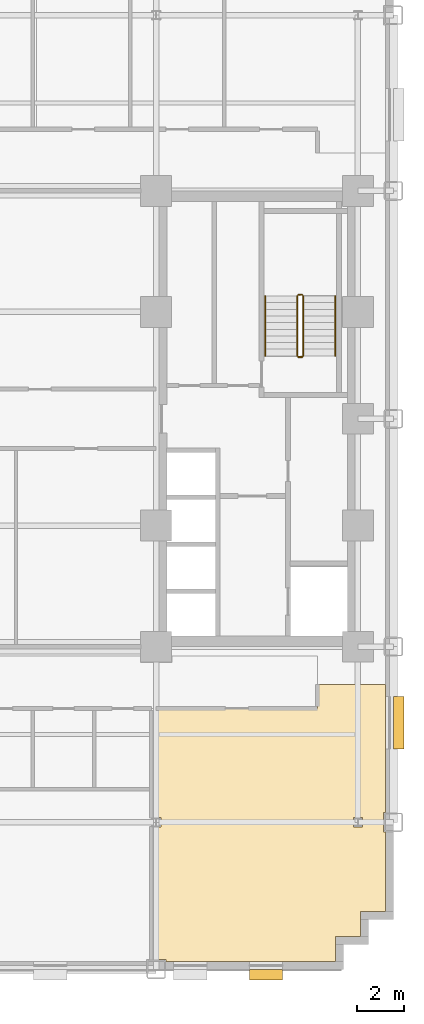
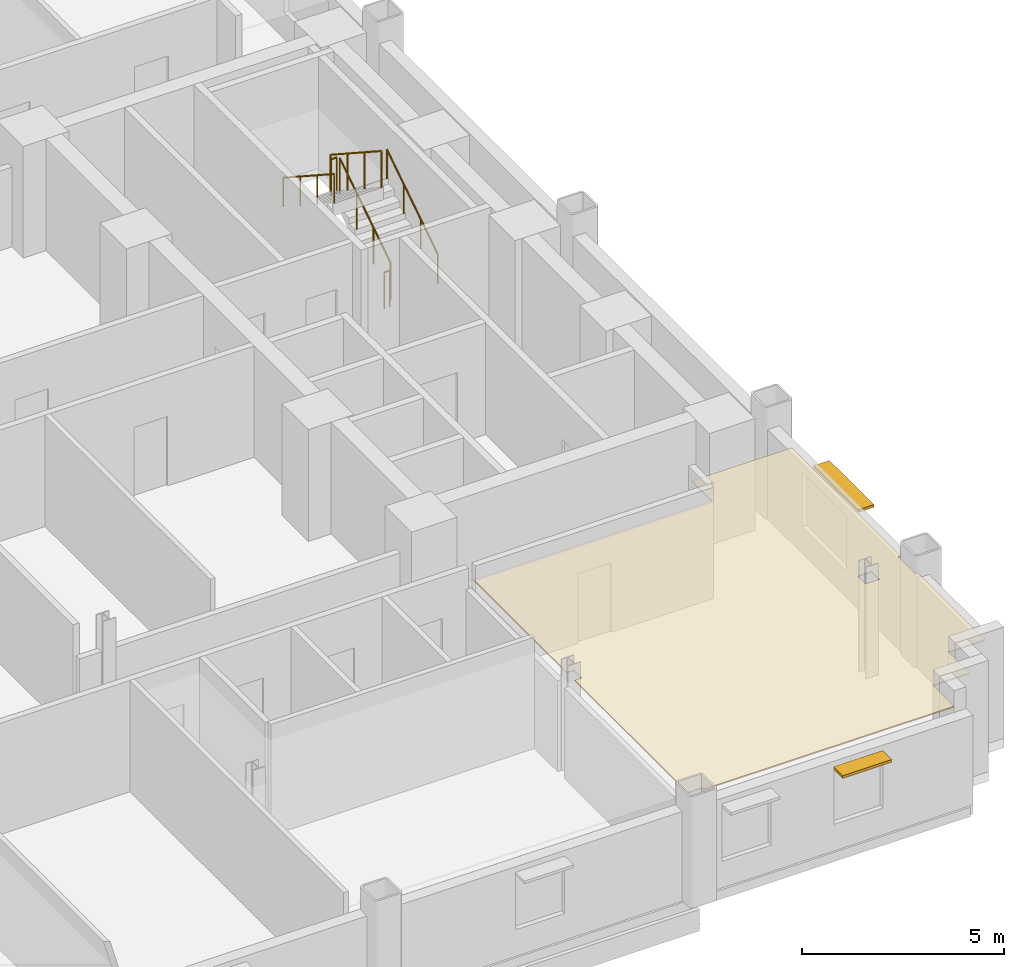
# One storey, part 11 of 12: 6 railings, 2 shading devices, 1 covering.
"""IFC4 building model written with IfcOpenShell, lengths in metres."""

from ifc_helpers import new_model, si_unit, direction, frame, origin, origin_2d, place, context, subcontext, project, spatial, polyline, rectangle, circle, outline, extrude, source, transform, mapped, material, layer, layer_set, type_object, type_shapes, element, save


model = new_model("IFC4")

# Units and contexts
model_context = context("Model", 3, precision=1e-05, world=origin(), true_north=direction((0.0, 1.0)))
body_context = subcontext(model_context, "Body", "Model", "MODEL_VIEW")
ifc_project = project(units=[si_unit("LENGTHUNIT", "METRE"), si_unit("AREAUNIT", "SQUARE_METRE"), si_unit("VOLUMEUNIT", "CUBIC_METRE"), si_unit("PLANEANGLEUNIT", "RADIAN"), si_unit("MASSUNIT", "GRAM", prefix="KILO")], contexts=[model_context])

# Site, building, storey
site_placement = place(None, origin())
site = spatial("IfcSite", under=ifc_project, at=site_placement, CompositionType="ELEMENT")
building_placement = place(site_placement, origin())
building = spatial("IfcBuilding", under=site, at=building_placement, Name="Nuvemarco Arch Tower", CompositionType="ELEMENT")
storey_placement = place(building_placement, frame((0.0, 0.0, 38.550048828125)))
storey = spatial("IfcBuildingStorey", under=building, at=storey_placement, Name="L09", CompositionType="ELEMENT", Elevation=38.550048828125)

# Covering
ifc_material_1 = material(Name="Mineral acoustic ceiling tile")
ifc_layer = layer(ifc_material_1, 0.0400390625, Name="COV-ACOUSTIC-CLG")
ifc_layer_set = layer_set([ifc_layer], Name="Mineral acoustic ceiling tile")
covering_type = type_object("IfcCoveringType", Name="COV-ACOUSTIC-CLG", PredefinedType="CEILING", material=ifc_layer_set)
covering_placement = place(storey_placement, frame((0.0, 0.0, 2.849853515625)))
element("IfcCovering", 1, at=covering_placement, inside=storey, type_object=covering_type, Name="L09 suspended acoustic ceiling 2", PredefinedType="CEILING", context=body_context, shape_type="SweptSolid", body=[
    extrude(outline(polyline([(16.56005859375, -22.860107421875), (9.4150390625, -22.860107421875), (9.4150390625, -22.784912109375), (9.0, -22.784912109375), (9.0, -17.195068359375), (9.195068359375, -17.195068359375), (9.195068359375, -16.804931640625), (9.0, -16.804931640625), (9.0, -12.199951171875), (15.800048828125, -12.199951171875), (15.800048828125, -11.199951171875), (18.659912109375, -11.199951171875), (18.659912109375, -16.5849609375), (18.5849609375, -16.5849609375), (18.5849609375, -17.4150390625), (18.659912109375, -17.4150390625), (18.659912109375, -20.760009765625), (17.610107421875, -20.760009765625), (17.610107421875, -21.81005859375), (16.56005859375, -21.81005859375), (16.56005859375, -22.860107421875)]), holes=[polyline([(17.695068359375, -17.195068359375), (17.695068359375, -16.804931640625), (17.304931640625, -16.804931640625), (17.304931640625, -17.195068359375), (17.695068359375, -17.195068359375)])]), origin(), (0.0, 0.0, 1.0), 0.0400390625),
])

# Railings
ifc_material_2 = material(Name="Brushed stainless steel handrail", Category="steel")
railing_type_1 = type_object("IfcRailingType", Name="RL-HANDRAIL-900", PredefinedType="HANDRAIL", material=ifc_material_2)
railing_1_placement = place(storey_placement, frame((16.550048828125, 2.64990234375, 0.182373046875)))
element("IfcRailing", 2, at=railing_1_placement, inside=storey, type_object=railing_type_1, Name="L09 ST-2 stair handrail 1", PredefinedType="HANDRAIL", context=body_context, shape_type="SweptSolid", body=[
    extrude(circle(Radius=0.02392578125, at=origin_2d()), frame((0.0, 0.0, 0.8759765625), z_axis=(0.0, 0.837749427056, 0.546054848405), x_axis=(-1.0, 0.0, 0.0)), (0.0, 0.0, 1.0), 3.008056640625),
    extrude(circle(Radius=0.02099609375, at=origin_2d()), origin(), (0.0, 0.0, 1.0), 0.851806640625),
    extrude(circle(Radius=0.02099609375, at=origin_2d()), frame((0.0, 0.840087890625, 0.547607421875)), (0.0, 0.0, 1.0), 0.851806640625),
    extrude(circle(Radius=0.02099609375, at=origin_2d()), frame((0.0, 1.679931640625, 1.094970703125)), (0.0, 0.0, 1.0), 0.851806640625),
    extrude(circle(Radius=0.02099609375, at=origin_2d()), frame((0.0, 2.52001953125, 1.642578125)), (0.0, 0.0, 1.0), 0.851806640625),
])
railing_2_placement = place(storey_placement, frame((13.590087890625, 5.169921875, 2.007568359375)))
element("IfcRailing", 3, at=railing_2_placement, inside=storey, type_object=railing_type_1, Name="L09 ST-2 stair handrail 2", PredefinedType="HANDRAIL", context=body_context, shape_type="SweptSolid", body=[
    extrude(circle(Radius=0.02392578125, at=origin_2d()), frame((0.0, 0.0, 0.8759765625), z_axis=(0.0, -0.837786554691, 0.545997883492), x_axis=(1.0, 0.0, 0.0)), (0.0, 0.0, 1.0), 3.008056640625),
    extrude(circle(Radius=0.02099609375, at=origin_2d()), origin(), (0.0, 0.0, 1.0), 0.851806640625),
    extrude(circle(Radius=0.02099609375, at=origin_2d()), frame((0.0, -0.840087890625, 0.54736328125)), (0.0, 0.0, 1.0), 0.851806640625),
    extrude(circle(Radius=0.02099609375, at=origin_2d()), frame((0.0, -1.679931640625, 1.094970703125)), (0.0, 0.0, 1.0), 0.851806640625),
    extrude(circle(Radius=0.02099609375, at=origin_2d()), frame((0.0, -2.52001953125, 1.642333984375)), (0.0, 0.0, 1.0), 0.851806640625),
])
ifc_material_3 = material(Name="Painted balustrade steel S355", Category="steel")
railing_type_2 = type_object("IfcRailingType", Name="RL-STAIR-GUARD", PredefinedType="GUARDRAIL", material=ifc_material_3)
railing_3_placement = place(storey_placement, frame((15.199951171875, 2.64990234375, 0.182373046875)))
element("IfcRailing", 4, at=railing_3_placement, inside=storey, type_object=railing_type_2, Name="L09 ST-2 stair guard 1", PredefinedType="GUARDRAIL", context=body_context, shape_type="SweptSolid", body=[
    extrude(circle(Radius=0.02392578125, at=origin_2d()), frame((0.0, 0.0, 1.09619140625), z_axis=(0.0, 0.837749427056, 0.546054848405), x_axis=(-1.0, 0.0, 0.0)), (0.0, 0.0, 1.0), 3.008056640625),
    extrude(circle(Radius=0.02099609375, at=origin_2d()), origin(), (0.0, 0.0, 1.0), 1.072021484375),
    extrude(circle(Radius=0.02099609375, at=origin_2d()), frame((0.0, 0.840087890625, 0.547607421875)), (0.0, 0.0, 1.0), 1.072021484375),
    extrude(circle(Radius=0.02099609375, at=origin_2d()), frame((0.0, 1.679931640625, 1.094970703125)), (0.0, 0.0, 1.0), 1.072021484375),
    extrude(circle(Radius=0.02099609375, at=origin_2d()), frame((0.0, 2.52001953125, 1.642578125)), (0.0, 0.0, 1.0), 1.072021484375),
])
railing_4_placement = place(storey_placement, frame((15.14990234375, 5.219970703125, 1.824951171875)))
element("IfcRailing", 5, at=railing_4_placement, inside=storey, type_object=railing_type_2, Name="L09 ST-2 stair guard 2", PredefinedType="GUARDRAIL", context=body_context, shape_type="SweptSolid", body=[
    extrude(circle(Radius=0.02392578125, at=origin_2d()), frame((0.0, 0.0, 1.09619140625), z_axis=(-1.0, 0.0, 0.0), x_axis=(0.0, -1.0, 0.0)), (0.0, 0.0, 1.0), 0.159912109375),
    extrude(circle(Radius=0.02099609375, at=origin_2d()), origin(), (0.0, 0.0, 1.0), 1.072021484375),
    extrude(circle(Radius=0.02099609375, at=origin_2d()), frame((-0.159912109375, 0.0, 0.0)), (0.0, 0.0, 1.0), 1.072021484375),
])
railing_5_placement = place(storey_placement, frame((14.93994140625, 5.169921875, 2.007568359375)))
element("IfcRailing", 6, at=railing_5_placement, inside=storey, type_object=railing_type_2, Name="L09 ST-2 stair guard 3", PredefinedType="GUARDRAIL", context=body_context, shape_type="SweptSolid", body=[
    extrude(circle(Radius=0.02392578125, at=origin_2d()), frame((0.0, 0.0, 1.09619140625), z_axis=(0.0, -0.837786554691, 0.545997883492), x_axis=(1.0, 0.0, 0.0)), (0.0, 0.0, 1.0), 3.008056640625),
    extrude(circle(Radius=0.02099609375, at=origin_2d()), origin(), (0.0, 0.0, 1.0), 1.072021484375),
    extrude(circle(Radius=0.02099609375, at=origin_2d()), frame((0.0, -0.840087890625, 0.54736328125)), (0.0, 0.0, 1.0), 1.072021484375),
    extrude(circle(Radius=0.02099609375, at=origin_2d()), frame((0.0, -1.679931640625, 1.094970703125)), (0.0, 0.0, 1.0), 1.072021484375),
    extrude(circle(Radius=0.02099609375, at=origin_2d()), frame((0.0, -2.52001953125, 1.642333984375)), (0.0, 0.0, 1.0), 1.072021484375),
])
railing_6_placement = place(storey_placement, frame((15.14990234375, 2.60009765625, 0.0)))
element("IfcRailing", 7, at=railing_6_placement, inside=storey, type_object=railing_type_2, Name="L09 ST-2 stair guard 4", PredefinedType="GUARDRAIL", context=body_context, shape_type="SweptSolid", body=[
    extrude(circle(Radius=0.02392578125, at=origin_2d()), frame((0.0, 0.0, 1.09619140625), z_axis=(-1.0, 0.0, 0.0), x_axis=(0.0, -1.0, 0.0)), (0.0, 0.0, 1.0), 0.159912109375),
    extrude(circle(Radius=0.02099609375, at=origin_2d()), origin(), (0.0, 0.0, 1.0), 1.072021484375),
    extrude(circle(Radius=0.02099609375, at=origin_2d()), frame((-0.159912109375, 0.0, 0.0)), (0.0, 0.0, 1.0), 1.072021484375),
])

# Shading devices
ifc_material_4 = material(Name="Anodised aluminium 6063-T6", Category="aluminium")
shading_device_type_1 = type_object("IfcShadingDeviceType", Name="SHD-BRISE-SOLEIL", PredefinedType="USERDEFINED", material=ifc_material_4)
shared_shape_1 = source(origin(), body_context, "Body", "SweptSolid", [
    extrude(rectangle(XDim=2.199951171875, YDim=0.449951171875, at=origin_2d()), origin(), (0.0, 0.0, 1.0), 0.080078125),
])
type_shapes(shading_device_type_1, [shared_shape_1])
shading_device_1_placement = place(storey_placement, frame((19.215087890625, -12.802490234375, 2.454833984375), z_axis=(0.0, 0.0, 1.0), x_axis=(0.0, 1.0, 0.0)))
element("IfcShadingDevice", 8, at=shading_device_1_placement, inside=storey, type_object=shading_device_type_1, Name="L09 horizontal brise-soleil sunshade", ObjectType="SUNSHADE", PredefinedType="USERDEFINED", context=body_context, shape_type="MappedRepresentation", body=[
    mapped(shared_shape_1, transform((0.0, 0.0, 0.0), scale=1.0)),
])
shading_device_type_2 = type_object("IfcShadingDeviceType", Name="SHD-BRISE-NARROW", PredefinedType="USERDEFINED", material=ifc_material_4)
shared_shape_2 = source(origin(), body_context, "Body", "SweptSolid", [
    extrude(rectangle(XDim=1.39990234375, YDim=0.449951171875, at=origin_2d()), origin(), (0.0, 0.0, 1.0), 0.080078125),
])
type_shapes(shading_device_type_2, [shared_shape_2])
shading_device_2_placement = place(storey_placement, frame((13.628662109375, -23.4150390625, 2.454833984375), z_axis=(0.0, 0.0, 1.0), x_axis=(1.0, 0.0, 0.0)))
element("IfcShadingDevice", 9, at=shading_device_2_placement, inside=storey, type_object=shading_device_type_2, Name="L09 horizontal brise-soleil sunshade", ObjectType="SUNSHADE", PredefinedType="USERDEFINED", context=body_context, shape_type="MappedRepresentation", body=[
    mapped(shared_shape_2, transform((0.0, 0.0, 0.0), scale=1.0)),
])

save(model, "model.ifc")
